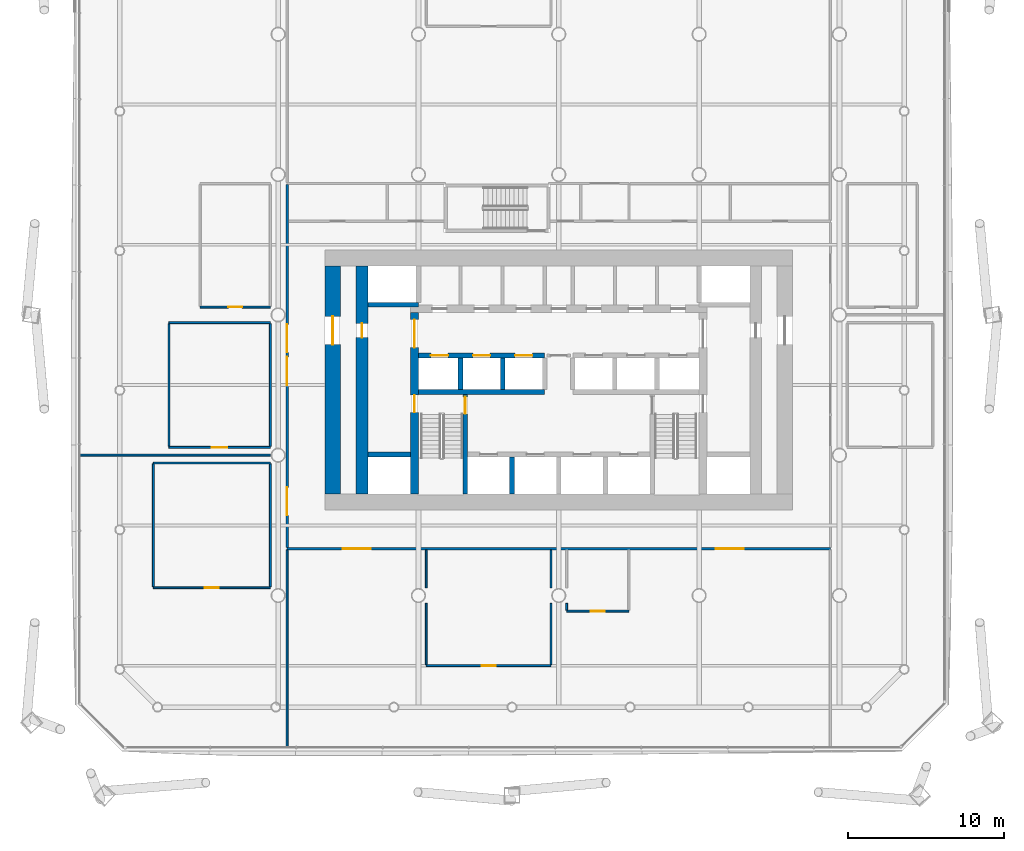
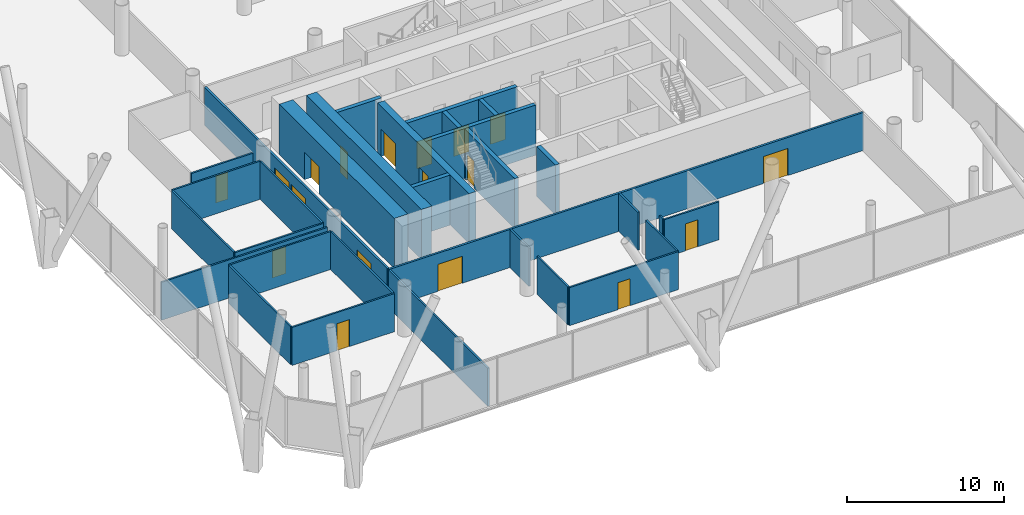
# One storey, part 17 of 25: 31 walls, 18 doors, 18 openings.
"""IFC4 building model written with IfcOpenShell, lengths in metres."""

from ifc_helpers import new_model, si_unit, direction, frame, frame_2d, origin, place, context, subcontext, project, spatial, rectangle, extrude, material, layer, layer_set, type_object, element, fill, save


model = new_model("IFC4")

# Units and contexts
model_context = context("Model", 3, precision=1e-05, world=origin(), true_north=direction((0.0, 1.0)))
body_context = subcontext(model_context, "Body", "Model", "MODEL_VIEW")
ifc_project = project(units=[si_unit("LENGTHUNIT", "METRE"), si_unit("AREAUNIT", "SQUARE_METRE"), si_unit("VOLUMEUNIT", "CUBIC_METRE"), si_unit("PLANEANGLEUNIT", "RADIAN"), si_unit("MASSUNIT", "GRAM", prefix="KILO")], contexts=[model_context])

# Site, building, storey
site_placement = place(None, origin())
site = spatial("IfcSite", under=ifc_project, at=site_placement, CompositionType="ELEMENT")
building_placement = place(site_placement, origin())
building = spatial("IfcBuilding", under=site, at=building_placement, Name="Tskaro Facet Tower", CompositionType="ELEMENT")
storey_placement = place(building_placement, frame((0.0, 0.0, 10.800048828125)))
storey = spatial("IfcBuildingStorey", under=building, at=storey_placement, Name="L01", CompositionType="ELEMENT", Elevation=10.800048828125)

# Walls
ifc_material_1 = material(Name="Concrete C60/75", Category="concrete")
ifc_layer_1 = layer(ifc_material_1, 0.300048828125, Name="Concrete C60/75")
ifc_layer_set_1 = layer_set([ifc_layer_1], Name="Concrete C60/75")
wall_type_1 = type_object("IfcWallType", Name="CORE-SHAFT", PredefinedType="SHEAR", material=ifc_layer_set_1)
wall_1_placement = place(storey_placement, frame((-12.25, -8.949951171875, 0.0), z_axis=(0.0, 0.0, 1.0), x_axis=(1.0, 0.0, 0.0)))
element("IfcWall", 1, at=wall_1_placement, inside=storey, type_object=wall_type_1, Name="Shaft wall W007", PredefinedType="SHEAR", context=body_context, shape_type="SweptSolid", body=[
    extrude(rectangle(XDim=2.75, YDim=0.300048828125, at=frame_2d((1.375, 0.0))), origin(), (0.0, 0.0, 1.0), 3.89990234375),
])
wall_2_placement = place(storey_placement, frame((-9.0, -4.949951171875, 0.0), z_axis=(0.0, 0.0, 1.0), x_axis=(1.0, 0.0, 0.0)))
element("IfcWall", 2, at=wall_2_placement, inside=storey, type_object=wall_type_1, Name="Shaft wall W012", PredefinedType="SHEAR", context=body_context, shape_type="SweptSolid", body=[
    extrude(rectangle(XDim=8.10009765625, YDim=0.300048828125, at=frame_2d((4.050048828125, 0.0))), origin(), (0.0, 0.0, 1.0), 3.89990234375),
])

# Wall, openings, doors
wall_3_placement = place(storey_placement, frame((-9.0, -2.60009765625, 0.0), z_axis=(0.0, 0.0, 1.0), x_axis=(1.0, 0.0, 0.0)))
wall_3 = element("IfcWall", 3, at=wall_3_placement, inside=storey, type_object=wall_type_1, Name="Shaft wall W014", PredefinedType="SHEAR", context=body_context, shape_type="SweptSolid", body=[
    extrude(rectangle(XDim=8.10009765625, YDim=0.300048828125, at=frame_2d((4.050048828125, 0.0))), origin(), (0.0, 0.0, 1.0), 3.89990234375),
])
opening_1_placement = place(wall_3_placement, frame((0.800048828125, 0.0, 0.0)))
opening_1 = element("IfcOpeningElement", 4, at=opening_1_placement, cuts=wall_3, Name="Opening LD-LR1", PredefinedType="OPENING", context=body_context, shape_type="SweptSolid", body=[
    extrude(rectangle(XDim=1.10009765625, YDim=2.10009765625, at=frame_2d((0.550048828125, 1.050048828125))), frame((0.0, 0.159912109375, 0.0), z_axis=(0.0, -1.0, 0.0), x_axis=(1.0, 0.0, 0.0)), (0.0, 0.0, 1.0), 0.320068359375),
])
opening_2_placement = place(wall_3_placement, frame((3.5, 0.0, 0.0)))
opening_2 = element("IfcOpeningElement", 5, at=opening_2_placement, cuts=wall_3, Name="Opening LD-LR2", PredefinedType="OPENING", context=body_context, shape_type="SweptSolid", body=[
    extrude(rectangle(XDim=1.10009765625, YDim=2.10009765625, at=frame_2d((0.550048828125, 1.050048828125))), frame((0.0, 0.159912109375, 0.0), z_axis=(0.0, -1.0, 0.0), x_axis=(1.0, 0.0, 0.0)), (0.0, 0.0, 1.0), 0.320068359375),
])
opening_3_placement = place(wall_3_placement, frame((6.199951171875, 0.0, 0.0)))
opening_3 = element("IfcOpeningElement", 6, at=opening_3_placement, cuts=wall_3, Name="Opening LD-LR3", PredefinedType="OPENING", context=body_context, shape_type="SweptSolid", body=[
    extrude(rectangle(XDim=1.10009765625, YDim=2.10009765625, at=frame_2d((0.550048828125, 1.050048828125))), frame((0.0, 0.159912109375, 0.0), z_axis=(0.0, -1.0, 0.0), x_axis=(1.0, 0.0, 0.0)), (0.0, 0.0, 1.0), 0.320068359375),
])
ifc_material_2 = material(Name="Stainless steel", Category="steel")
door_type_1 = type_object("IfcDoorType", Name="D-LANDING", OperationType="NOTDEFINED", PredefinedType="DOOR", material=ifc_material_2)
door_1_placement = place(opening_1_placement, origin())
door_1 = element("IfcDoor", 7, at=door_1_placement, inside=storey, type_object=door_type_1, Name="Landing door LR1", OperationType="DOUBLE_DOOR_SLIDING", OverallHeight=2.10009765625, OverallWidth=1.10009765625, PredefinedType="DOOR", context=body_context, shape_type="SweptSolid", body=[
    extrude(rectangle(XDim=1.10009765625, YDim=2.10009765625, at=frame_2d((0.550048828125, 1.050048828125))), frame((0.0, 0.02490234375, 0.0), z_axis=(0.0, -1.0, 0.0), x_axis=(1.0, 0.0, 0.0)), (0.0, 0.0, 1.0), 0.050048828125),
])
fill(opening_1, door_1)
door_2_placement = place(opening_2_placement, origin())
door_2 = element("IfcDoor", 8, at=door_2_placement, inside=storey, type_object=door_type_1, Name="Landing door LR2", OperationType="DOUBLE_DOOR_SLIDING", OverallHeight=2.10009765625, OverallWidth=1.10009765625, PredefinedType="DOOR", context=body_context, shape_type="SweptSolid", body=[
    extrude(rectangle(XDim=1.10009765625, YDim=2.10009765625, at=frame_2d((0.550048828125, 1.050048828125))), frame((0.0, 0.02490234375, 0.0), z_axis=(0.0, -1.0, 0.0), x_axis=(1.0, 0.0, 0.0)), (0.0, 0.0, 1.0), 0.050048828125),
])
fill(opening_2, door_2)
door_3_placement = place(opening_3_placement, origin())
door_3 = element("IfcDoor", 9, at=door_3_placement, inside=storey, type_object=door_type_1, Name="Landing door LR3", OperationType="DOUBLE_DOOR_SLIDING", OverallHeight=2.10009765625, OverallWidth=1.10009765625, PredefinedType="DOOR", context=body_context, shape_type="SweptSolid", body=[
    extrude(rectangle(XDim=1.10009765625, YDim=2.10009765625, at=frame_2d((0.550048828125, 1.050048828125))), frame((0.0, 0.02490234375, 0.0), z_axis=(0.0, -1.0, 0.0), x_axis=(1.0, 0.0, 0.0)), (0.0, 0.0, 1.0), 0.050048828125),
])
fill(opening_3, door_3)

# Walls
wall_4_placement = place(storey_placement, frame((-9.0, 0.64990234375, 0.0), z_axis=(0.0, 0.0, 1.0), x_axis=(-1.0, 0.0, 0.0)))
element("IfcWall", 10, at=wall_4_placement, inside=storey, type_object=wall_type_1, Name="Shaft wall W022", PredefinedType="SHEAR", context=body_context, shape_type="SweptSolid", body=[
    extrude(rectangle(XDim=3.25, YDim=0.300048828125, at=frame_2d((1.625, 0.0))), origin(), (0.0, 0.0, 1.0), 3.89990234375),
])
wall_5_placement = place(storey_placement, frame((-6.300048828125, -4.800048828125, 0.0), z_axis=(0.0, 0.0, 1.0), x_axis=(0.0, 1.0, 0.0)))
element("IfcWall", 11, at=wall_5_placement, inside=storey, type_object=wall_type_1, Name="Shaft wall W051", PredefinedType="SHEAR", context=body_context, shape_type="SweptSolid", body=[
    extrude(rectangle(XDim=2.050048828125, YDim=0.300048828125, at=frame_2d((1.02490234375, 0.0))), origin(), (0.0, 0.0, 1.0), 3.89990234375),
])

# Wall, opening, door
wall_6_placement = place(storey_placement, frame((-6.0, -11.5, 0.0), z_axis=(0.0, 0.0, 1.0), x_axis=(0.0, 1.0, 0.0)))
wall_6 = element("IfcWall", 12, at=wall_6_placement, inside=storey, type_object=wall_type_1, Name="Shaft wall W053", PredefinedType="SHEAR", context=body_context, shape_type="SweptSolid", body=[
    extrude(rectangle(XDim=6.39990234375, YDim=0.300048828125, at=frame_2d((3.199951171875, 0.0))), origin(), (0.0, 0.0, 1.0), 3.89990234375),
])
opening_4_placement = place(wall_6_placement, frame((5.14990234375, 0.0, 0.0)))
opening_4 = element("IfcOpeningElement", 13, at=opening_4_placement, cuts=wall_6, Name="Opening ST-1-D1", PredefinedType="OPENING", context=body_context, shape_type="SweptSolid", body=[
    extrude(rectangle(XDim=1.10009765625, YDim=2.10009765625, at=frame_2d((0.550048828125, 1.050048828125))), frame((0.0, 0.159912109375, 0.0), z_axis=(0.0, -1.0, 0.0), x_axis=(1.0, 0.0, 0.0)), (0.0, 0.0, 1.0), 0.320068359375),
])
ifc_material_3 = material(Name="Steel", Category="steel")
door_type_2 = type_object("IfcDoorType", Name="D-STAIR", OperationType="NOTDEFINED", PredefinedType="DOOR", material=ifc_material_3)
door_4_placement = place(opening_4_placement, origin())
door_4 = element("IfcDoor", 14, at=door_4_placement, inside=storey, type_object=door_type_2, Name="Stair door 1", OperationType="SINGLE_SWING_LEFT", OverallHeight=2.10009765625, OverallWidth=1.10009765625, PredefinedType="DOOR", context=body_context, shape_type="SweptSolid", body=[
    extrude(rectangle(XDim=1.10009765625, YDim=2.10009765625, at=frame_2d((0.550048828125, 1.050048828125))), frame((0.0, 0.02490234375, 0.0), z_axis=(0.0, -1.0, 0.0), x_axis=(1.0, 0.0, 0.0)), (0.0, 0.0, 1.0), 0.050048828125),
])
fill(opening_4, door_4)

# Walls
wall_7_placement = place(storey_placement, frame((-3.60009765625, -4.800048828125, 0.0), z_axis=(0.0, 0.0, 1.0), x_axis=(0.0, 1.0, 0.0)))
element("IfcWall", 15, at=wall_7_placement, inside=storey, type_object=wall_type_1, Name="Shaft wall W054", PredefinedType="SHEAR", context=body_context, shape_type="SweptSolid", body=[
    extrude(rectangle(XDim=2.050048828125, YDim=0.300048828125, at=frame_2d((1.02490234375, 0.0))), origin(), (0.0, 0.0, 1.0), 3.89990234375),
])
wall_8_placement = place(storey_placement, frame((-3.0, -11.5, 0.0), z_axis=(0.0, 0.0, 1.0), x_axis=(0.0, 1.0, 0.0)))
element("IfcWall", 16, at=wall_8_placement, inside=storey, type_object=wall_type_1, Name="Shaft wall W056", PredefinedType="SHEAR", context=body_context, shape_type="SweptSolid", body=[
    extrude(rectangle(XDim=2.39990234375, YDim=0.300048828125, at=frame_2d((1.199951171875, 0.0))), origin(), (0.0, 0.0, 1.0), 3.89990234375),
])

# Wall, opening, door
ifc_layer_2 = layer(ifc_material_1, 1.0, Name="Concrete C60/75")
ifc_layer_set_2 = layer_set([ifc_layer_2], Name="Concrete C60/75")
wall_type_2 = type_object("IfcWallType", Name="Core wall 1000", PredefinedType="SHEAR", material=ifc_layer_set_2)
wall_9_placement = place(storey_placement, frame((-14.5, -11.5, 0.0), z_axis=(0.0, 0.0, 1.0), x_axis=(0.0, 1.0, 0.0)))
wall_9 = element("IfcWall", 17, at=wall_9_placement, inside=storey, type_object=wall_type_2, Name="Core wall CW-Z1W", PredefinedType="SHEAR", context=body_context, shape_type="SweptSolid", body=[
    extrude(rectangle(XDim=14.64990234375, YDim=1.0, at=frame_2d((7.324951171875, 0.0))), origin(), (0.0, 0.0, 1.0), 3.89990234375),
])
opening_5_placement = place(wall_9_placement, frame((9.60009765625, 0.0, 0.0)))
opening_5 = element("IfcOpeningElement", 18, at=opening_5_placement, cuts=wall_9, Name="Opening T0-D17", PredefinedType="OPENING", context=body_context, shape_type="SweptSolid", body=[
    extrude(rectangle(XDim=1.800048828125, YDim=2.10009765625, at=frame_2d((0.89990234375, 1.050048828125))), frame((0.0, 0.510009765625, 0.0), z_axis=(0.0, -1.0, 0.0), x_axis=(1.0, 0.0, 0.0)), (0.0, 0.0, 1.0), 1.02001953125),
])
door_type_3 = type_object("IfcDoorType", Name="D-CORE-PAIR", OperationType="NOTDEFINED", PredefinedType="DOOR", material=ifc_material_3)
door_5_placement = place(opening_5_placement, origin())
door_5 = element("IfcDoor", 19, at=door_5_placement, inside=storey, type_object=door_type_3, Name="Door T0-D17", OperationType="DOUBLE_DOOR_SINGLE_SWING", OverallHeight=2.10009765625, OverallWidth=1.800048828125, PredefinedType="DOOR", context=body_context, shape_type="SweptSolid", body=[
    extrude(rectangle(XDim=1.800048828125, YDim=2.10009765625, at=frame_2d((0.89990234375, 1.050048828125))), frame((0.0, 0.02490234375, 0.0), z_axis=(0.0, -1.0, 0.0), x_axis=(1.0, 0.0, 0.0)), (0.0, 0.0, 1.0), 0.050048828125),
])
fill(opening_5, door_5)

# Wall, openings, doors
ifc_material_4 = material(Name="Concrete C40/50", Category="concrete")
ifc_layer_3 = layer(ifc_material_4, 0.5, Name="Concrete C40/50")
ifc_layer_set_3 = layer_set([ifc_layer_3], Name="Concrete C40/50")
wall_type_3 = type_object("IfcWallType", Name="Core wall 500", PredefinedType="SHEAR", material=ifc_layer_set_3)
wall_10_placement = place(storey_placement, frame((-9.25, -11.5, 0.0), z_axis=(0.0, 0.0, 1.0), x_axis=(0.0, 1.0, 0.0)))
wall_10 = element("IfcWall", 20, at=wall_10_placement, inside=storey, type_object=wall_type_3, Name="Core wall CW-Z3W", PredefinedType="SHEAR", context=body_context, shape_type="SweptSolid", body=[
    extrude(rectangle(XDim=11.64990234375, YDim=0.5, at=frame_2d((5.824951171875, 0.0))), origin(), (0.0, 0.0, 1.0), 3.89990234375),
])
opening_6_placement = place(wall_10_placement, frame((9.39990234375, 0.0, 0.0)))
opening_6 = element("IfcOpeningElement", 21, at=opening_6_placement, cuts=wall_10, Name="Opening T0-D15", PredefinedType="OPENING", context=body_context, shape_type="SweptSolid", body=[
    extrude(rectangle(XDim=1.800048828125, YDim=2.10009765625, at=frame_2d((0.89990234375, 1.050048828125))), frame((0.0, 0.260009765625, 0.0), z_axis=(0.0, -1.0, 0.0), x_axis=(1.0, 0.0, 0.0)), (0.0, 0.0, 1.0), 0.52001953125),
])
opening_7_placement = place(wall_10_placement, frame((5.25, 0.0, 0.0)))
opening_7 = element("IfcOpeningElement", 22, at=opening_7_placement, cuts=wall_10, Name="Opening ST-1-D2", PredefinedType="OPENING", context=body_context, shape_type="SweptSolid", body=[
    extrude(rectangle(XDim=1.10009765625, YDim=2.10009765625, at=frame_2d((0.550048828125, 1.050048828125))), frame((0.0, 0.260009765625, 0.0), z_axis=(0.0, -1.0, 0.0), x_axis=(1.0, 0.0, 0.0)), (0.0, 0.0, 1.0), 0.52001953125),
])
door_6_placement = place(opening_6_placement, origin())
door_6 = element("IfcDoor", 23, at=door_6_placement, inside=storey, type_object=door_type_3, Name="Door T0-D15", OperationType="DOUBLE_DOOR_SINGLE_SWING", OverallHeight=2.10009765625, OverallWidth=1.800048828125, PredefinedType="DOOR", context=body_context, shape_type="SweptSolid", body=[
    extrude(rectangle(XDim=1.800048828125, YDim=2.10009765625, at=frame_2d((0.89990234375, 1.050048828125))), frame((0.0, 0.02490234375, 0.0), z_axis=(0.0, -1.0, 0.0), x_axis=(1.0, 0.0, 0.0)), (0.0, 0.0, 1.0), 0.050048828125),
])
fill(opening_6, door_6)
door_7_placement = place(opening_7_placement, origin())
door_7 = element("IfcDoor", 24, at=door_7_placement, inside=storey, type_object=door_type_2, Name="Stair door 1 west", OperationType="SINGLE_SWING_LEFT", OverallHeight=2.10009765625, OverallWidth=1.10009765625, PredefinedType="DOOR", context=body_context, shape_type="SweptSolid", body=[
    extrude(rectangle(XDim=1.10009765625, YDim=2.10009765625, at=frame_2d((0.550048828125, 1.050048828125))), frame((0.0, 0.02490234375, 0.0), z_axis=(0.0, -1.0, 0.0), x_axis=(1.0, 0.0, 0.0)), (0.0, 0.0, 1.0), 0.050048828125),
])
fill(opening_7, door_7)

# Wall, opening, door
ifc_material_5 = material(Name="Concrete C50/60", Category="concrete")
ifc_layer_4 = layer(ifc_material_5, 0.75, Name="Concrete C50/60")
ifc_layer_set_4 = layer_set([ifc_layer_4], Name="Concrete C50/60")
wall_type_4 = type_object("IfcWallType", Name="Core wall 750", PredefinedType="SHEAR", material=ifc_layer_set_4)
wall_11_placement = place(storey_placement, frame((-12.625, -11.5, 0.0), z_axis=(0.0, 0.0, 1.0), x_axis=(0.0, 1.0, 0.0)))
wall_11 = element("IfcWall", 25, at=wall_11_placement, inside=storey, type_object=wall_type_4, Name="Core wall CW-Z2W", PredefinedType="SHEAR", context=body_context, shape_type="SweptSolid", body=[
    extrude(rectangle(XDim=14.64990234375, YDim=0.75, at=frame_2d((7.324951171875, 0.0))), origin(), (0.0, 0.0, 1.0), 3.89990234375),
])
opening_8_placement = place(wall_11_placement, frame((10.050048828125, 0.0, 0.0)))
opening_8 = element("IfcOpeningElement", 26, at=opening_8_placement, cuts=wall_11, Name="Opening T0-D18", PredefinedType="OPENING", context=body_context, shape_type="SweptSolid", body=[
    extrude(rectangle(XDim=0.89990234375, YDim=2.10009765625, at=frame_2d((0.449951171875, 1.050048828125))), frame((0.0, 0.385009765625, 0.0), z_axis=(0.0, -1.0, 0.0), x_axis=(1.0, 0.0, 0.0)), (0.0, 0.0, 1.0), 0.77001953125),
])
ifc_material_6 = material(Name="Timber", Category="wood")
door_type_4 = type_object("IfcDoorType", Name="D-ROOM", OperationType="NOTDEFINED", PredefinedType="DOOR", material=ifc_material_6)
door_8_placement = place(opening_8_placement, origin())
door_8 = element("IfcDoor", 27, at=door_8_placement, inside=storey, type_object=door_type_4, Name="Door T0-D18", OperationType="SINGLE_SWING_LEFT", OverallHeight=2.10009765625, OverallWidth=0.89990234375, PredefinedType="DOOR", context=body_context, shape_type="SweptSolid", body=[
    extrude(rectangle(XDim=0.89990234375, YDim=2.10009765625, at=frame_2d((0.449951171875, 1.050048828125))), frame((0.0, 0.02490234375, 0.0), z_axis=(0.0, -1.0, 0.0), x_axis=(1.0, 0.0, 0.0)), (0.0, 0.0, 1.0), 0.050048828125),
])
fill(opening_8, door_8)

ifc_material_7 = material(Name="Gypsum board on steel studs", Category="steel")
ifc_layer_5 = layer(ifc_material_7, 0.125, Name="Gypsum board on steel studs")
ifc_layer_set_5 = layer_set([ifc_layer_5], Name="Gypsum board on steel studs")
wall_type_5 = type_object("IfcWallType", Name="PART", PredefinedType="PARTITIONING", material=ifc_layer_set_5)
wall_12_placement = place(storey_placement, frame((-8.5, -22.5, 0.0), z_axis=(0.0, 0.0, 1.0), x_axis=(1.0, 0.0, 0.0)))
wall_12 = element("IfcWall", 28, at=wall_12_placement, inside=storey, type_object=wall_type_5, Name="Partition W001", PredefinedType="PARTITIONING", context=body_context, shape_type="SweptSolid", body=[
    extrude(rectangle(XDim=8.0, YDim=0.125, at=frame_2d((4.0, 0.0))), origin(), (0.0, 0.0, 1.0), 2.9599609375),
])
opening_9_placement = place(wall_12_placement, frame((3.550048828125, 0.0, 0.0)))
opening_9 = element("IfcOpeningElement", 29, at=opening_9_placement, cuts=wall_12, Name="Opening T0-D01", PredefinedType="OPENING", context=body_context, shape_type="SweptSolid", body=[
    extrude(rectangle(XDim=0.89990234375, YDim=2.10009765625, at=frame_2d((0.449951171875, 1.050048828125))), frame((0.0, 0.072509765625, 0.0), z_axis=(0.0, -1.0, 0.0), x_axis=(1.0, 0.0, 0.0)), (0.0, 0.0, 1.0), 0.14501953125),
])
door_9_placement = place(opening_9_placement, origin())
door_9 = element("IfcDoor", 30, at=door_9_placement, inside=storey, type_object=door_type_4, Name="Door T0-D01", OperationType="SINGLE_SWING_LEFT", OverallHeight=2.10009765625, OverallWidth=0.89990234375, PredefinedType="DOOR", context=body_context, shape_type="SweptSolid", body=[
    extrude(rectangle(XDim=0.89990234375, YDim=2.10009765625, at=frame_2d((0.449951171875, 1.050048828125))), frame((0.0, 0.02490234375, 0.0), z_axis=(0.0, -1.0, 0.0), x_axis=(1.0, 0.0, 0.0)), (0.0, 0.0, 1.0), 0.050048828125),
])
fill(opening_9, door_9)

wall_13_placement = place(storey_placement, frame((0.5, -19.0, 0.0), z_axis=(0.0, 0.0, 1.0), x_axis=(1.0, 0.0, 0.0)))
wall_13 = element("IfcWall", 31, at=wall_13_placement, inside=storey, type_object=wall_type_5, Name="Partition W002", PredefinedType="PARTITIONING", context=body_context, shape_type="SweptSolid", body=[
    extrude(rectangle(XDim=4.0, YDim=0.125, at=frame_2d((2.0, 0.0))), origin(), (0.0, 0.0, 1.0), 2.9599609375),
])
opening_10_placement = place(wall_13_placement, frame((1.550048828125, 0.0, 0.0)))
opening_10 = element("IfcOpeningElement", 32, at=opening_10_placement, cuts=wall_13, Name="Opening T0-D02", PredefinedType="OPENING", context=body_context, shape_type="SweptSolid", body=[
    extrude(rectangle(XDim=0.89990234375, YDim=2.10009765625, at=frame_2d((0.449951171875, 1.050048828125))), frame((0.0, 0.072509765625, 0.0), z_axis=(0.0, -1.0, 0.0), x_axis=(1.0, 0.0, 0.0)), (0.0, 0.0, 1.0), 0.14501953125),
])
door_10_placement = place(opening_10_placement, origin())
door_10 = element("IfcDoor", 33, at=door_10_placement, inside=storey, type_object=door_type_4, Name="Door T0-D02", OperationType="SINGLE_SWING_LEFT", OverallHeight=2.10009765625, OverallWidth=0.89990234375, PredefinedType="DOOR", context=body_context, shape_type="SweptSolid", body=[
    extrude(rectangle(XDim=0.89990234375, YDim=2.10009765625, at=frame_2d((0.449951171875, 1.050048828125))), frame((0.0, 0.02490234375, 0.0), z_axis=(0.0, -1.0, 0.0), x_axis=(1.0, 0.0, 0.0)), (0.0, 0.0, 1.0), 0.050048828125),
])
fill(opening_10, door_10)

wall_14_placement = place(storey_placement, frame((-26.0, -17.5, 0.0), z_axis=(0.0, 0.0, 1.0), x_axis=(1.0, 0.0, 0.0)))
wall_14 = element("IfcWall", 34, at=wall_14_placement, inside=storey, type_object=wall_type_5, Name="Partition W003", PredefinedType="PARTITIONING", context=body_context, shape_type="SweptSolid", body=[
    extrude(rectangle(XDim=7.5, YDim=0.125, at=frame_2d((3.75, 0.0))), origin(), (0.0, 0.0, 1.0), 2.9599609375),
])
opening_11_placement = place(wall_14_placement, frame((3.300048828125, 0.0, 0.0)))
opening_11 = element("IfcOpeningElement", 35, at=opening_11_placement, cuts=wall_14, Name="Opening T0-D03", PredefinedType="OPENING", context=body_context, shape_type="SweptSolid", body=[
    extrude(rectangle(XDim=0.89990234375, YDim=2.10009765625, at=frame_2d((0.449951171875, 1.050048828125))), frame((0.0, 0.072509765625, 0.0), z_axis=(0.0, -1.0, 0.0), x_axis=(1.0, 0.0, 0.0)), (0.0, 0.0, 1.0), 0.14501953125),
])
door_11_placement = place(opening_11_placement, origin())
door_11 = element("IfcDoor", 36, at=door_11_placement, inside=storey, type_object=door_type_4, Name="Door T0-D03", OperationType="SINGLE_SWING_LEFT", OverallHeight=2.10009765625, OverallWidth=0.89990234375, PredefinedType="DOOR", context=body_context, shape_type="SweptSolid", body=[
    extrude(rectangle(XDim=0.89990234375, YDim=2.10009765625, at=frame_2d((0.449951171875, 1.050048828125))), frame((0.0, 0.02490234375, 0.0), z_axis=(0.0, -1.0, 0.0), x_axis=(1.0, 0.0, 0.0)), (0.0, 0.0, 1.0), 0.050048828125),
])
fill(opening_11, door_11)

# Walls
wall_15_placement = place(storey_placement, frame((-26.0, -9.5, 0.0), z_axis=(0.0, 0.0, 1.0), x_axis=(1.0, 0.0, 0.0)))
element("IfcWall", 37, at=wall_15_placement, inside=storey, type_object=wall_type_5, Name="Partition W005", PredefinedType="PARTITIONING", context=body_context, shape_type="SweptSolid", body=[
    extrude(rectangle(XDim=7.5, YDim=0.125, at=frame_2d((3.75, 0.0))), origin(), (0.0, 0.0, 1.0), 2.9599609375),
])
wall_16_placement = place(storey_placement, frame((-30.699951171875, -9.0, 0.0), z_axis=(0.0, 0.0, 1.0), x_axis=(1.0, 0.0, 0.0)))
element("IfcWall", 38, at=wall_16_placement, inside=storey, type_object=wall_type_5, Name="Partition W006", PredefinedType="PARTITIONING", context=body_context, shape_type="SweptSolid", body=[
    extrude(rectangle(XDim=12.199951171875, YDim=0.125, at=frame_2d((6.10009765625, 0.0))), origin(), (0.0, 0.0, 1.0), 2.9599609375),
])

# Wall, opening, door
wall_17_placement = place(storey_placement, frame((-25.0, -8.5, 0.0), z_axis=(0.0, 0.0, 1.0), x_axis=(1.0, 0.0, 0.0)))
wall_17 = element("IfcWall", 39, at=wall_17_placement, inside=storey, type_object=wall_type_5, Name="Partition W010", PredefinedType="PARTITIONING", context=body_context, shape_type="SweptSolid", body=[
    extrude(rectangle(XDim=6.5, YDim=0.125, at=frame_2d((3.25, 0.0))), origin(), (0.0, 0.0, 1.0), 2.9599609375),
])
opening_12_placement = place(wall_17_placement, frame((2.75, 0.0, 0.0)))
opening_12 = element("IfcOpeningElement", 40, at=opening_12_placement, cuts=wall_17, Name="Opening T0-D09", PredefinedType="OPENING", context=body_context, shape_type="SweptSolid", body=[
    extrude(rectangle(XDim=1.0, YDim=2.10009765625, at=frame_2d((0.5, 1.050048828125))), frame((0.0, 0.072509765625, 0.0), z_axis=(0.0, -1.0, 0.0), x_axis=(1.0, 0.0, 0.0)), (0.0, 0.0, 1.0), 0.14501953125),
])
door_type_5 = type_object("IfcDoorType", Name="D-ROOM-WIDE", OperationType="NOTDEFINED", PredefinedType="DOOR", material=ifc_material_6)
door_12_placement = place(opening_12_placement, origin())
door_12 = element("IfcDoor", 41, at=door_12_placement, inside=storey, type_object=door_type_5, Name="Door T0-D09", OperationType="SINGLE_SWING_LEFT", OverallHeight=2.10009765625, OverallWidth=1.0, PredefinedType="DOOR", context=body_context, shape_type="SweptSolid", body=[
    extrude(rectangle(XDim=1.0, YDim=2.10009765625, at=frame_2d((0.5, 1.050048828125))), frame((0.0, 0.02490234375, 0.0), z_axis=(0.0, -1.0, 0.0), x_axis=(1.0, 0.0, 0.0)), (0.0, 0.0, 1.0), 0.050048828125),
])
fill(opening_12, door_12)

# Wall
wall_18_placement = place(storey_placement, frame((-25.0, -0.5, 0.0), z_axis=(0.0, 0.0, 1.0), x_axis=(1.0, 0.0, 0.0)))
element("IfcWall", 42, at=wall_18_placement, inside=storey, type_object=wall_type_5, Name="Partition W017", PredefinedType="PARTITIONING", context=body_context, shape_type="SweptSolid", body=[
    extrude(rectangle(XDim=6.5, YDim=0.125, at=frame_2d((3.25, 0.0))), origin(), (0.0, 0.0, 1.0), 2.9599609375),
])

# Wall, opening, door
wall_19_placement = place(storey_placement, frame((-23.0, 0.5, 0.0), z_axis=(0.0, 0.0, 1.0), x_axis=(1.0, 0.0, 0.0)))
wall_19 = element("IfcWall", 43, at=wall_19_placement, inside=storey, type_object=wall_type_5, Name="Partition W020", PredefinedType="PARTITIONING", context=body_context, shape_type="SweptSolid", body=[
    extrude(rectangle(XDim=4.5, YDim=0.125, at=frame_2d((2.25, 0.0))), origin(), (0.0, 0.0, 1.0), 2.9599609375),
])
opening_13_placement = place(wall_19_placement, frame((1.800048828125, 0.0, 0.0)))
opening_13 = element("IfcOpeningElement", 44, at=opening_13_placement, cuts=wall_19, Name="Opening T0-D28", PredefinedType="OPENING", context=body_context, shape_type="SweptSolid", body=[
    extrude(rectangle(XDim=0.89990234375, YDim=2.10009765625, at=frame_2d((0.449951171875, 1.050048828125))), frame((0.0, 0.072509765625, 0.0), z_axis=(0.0, -1.0, 0.0), x_axis=(1.0, 0.0, 0.0)), (0.0, 0.0, 1.0), 0.14501953125),
])
door_13_placement = place(opening_13_placement, origin())
door_13 = element("IfcDoor", 45, at=door_13_placement, inside=storey, type_object=door_type_4, Name="Door T0-D28", OperationType="SINGLE_SWING_LEFT", OverallHeight=2.10009765625, OverallWidth=0.89990234375, PredefinedType="DOOR", context=body_context, shape_type="SweptSolid", body=[
    extrude(rectangle(XDim=0.89990234375, YDim=2.10009765625, at=frame_2d((0.449951171875, 1.050048828125))), frame((0.0, 0.02490234375, 0.0), z_axis=(0.0, -1.0, 0.0), x_axis=(1.0, 0.0, 0.0)), (0.0, 0.0, 1.0), 0.050048828125),
])
fill(opening_13, door_13)

# Walls
for number, where, z_axis, x_axis, name in (
    (46, (-26.0, -17.4375, 0.0), (0.0, 0.0, 1.0), (0.0, 1.0, 0.0), "Partition W036"),
    (47, (-25.0, -8.4375, 0.0), (0.0, 0.0, 1.0), (0.0, 1.0, 0.0), "Partition W037"),
    (48, (-18.5, -17.4375, 0.0), (0.0, 0.0, 1.0), (0.0, 1.0, 0.0), "Partition W039"),
    (49, (-18.5, -8.4375, 0.0), (0.0, 0.0, 1.0), (0.0, 1.0, 0.0), "Partition W040"),
):
    element("IfcWall", number, at=place(storey_placement, frame(where, z_axis=z_axis, x_axis=x_axis)), inside=storey, type_object=wall_type_5, Name=name, PredefinedType="PARTITIONING", context=body_context, shape_type="SweptSolid", body=[
        extrude(rectangle(XDim=7.875, YDim=0.125, at=frame_2d((3.9375, 0.0))), origin(), (0.0, 0.0, 1.0), 2.9599609375),
    ])
wall_20_placement = place(storey_placement, frame((-17.425048828125, -27.699951171875, 0.0), z_axis=(0.0, 0.0, 1.0), x_axis=(0.0, 1.0, 0.0)))
element("IfcWall", 50, at=wall_20_placement, inside=storey, type_object=wall_type_5, Name="Partition W042", PredefinedType="PARTITIONING", context=body_context, shape_type="SweptSolid", body=[
    extrude(rectangle(XDim=12.625, YDim=0.125, at=frame_2d((6.3125, 0.0))), origin(), (0.0, 0.0, 1.0), 2.9599609375),
])
wall_21_placement = place(storey_placement, frame((-8.5, -22.4375, 0.0), z_axis=(0.0, 0.0, 1.0), x_axis=(0.0, 1.0, 0.0)))
element("IfcWall", 51, at=wall_21_placement, inside=storey, type_object=wall_type_5, Name="Partition W047", PredefinedType="PARTITIONING", context=body_context, shape_type="SweptSolid", body=[
    extrude(rectangle(XDim=3.9375, YDim=0.125, at=frame_2d((1.96875, 0.0))), origin(), (0.0, 0.0, 1.0), 2.9599609375),
])
wall_22_placement = place(storey_placement, frame((-8.5, -17.5, 0.0), z_axis=(0.0, 0.0, 1.0), x_axis=(0.0, 1.0, 0.0)))
element("IfcWall", 52, at=wall_22_placement, inside=storey, type_object=wall_type_5, Name="Partition W048", PredefinedType="PARTITIONING", context=body_context, shape_type="SweptSolid", body=[
    extrude(rectangle(XDim=2.425048828125, YDim=0.125, at=frame_2d((1.21240234375, 0.0))), origin(), (0.0, 0.0, 1.0), 2.9599609375),
])
wall_23_placement = place(storey_placement, frame((-0.5, -22.4375, 0.0), z_axis=(0.0, 0.0, 1.0), x_axis=(0.0, 1.0, 0.0)))
element("IfcWall", 53, at=wall_23_placement, inside=storey, type_object=wall_type_5, Name="Partition W060", PredefinedType="PARTITIONING", context=body_context, shape_type="SweptSolid", body=[
    extrude(rectangle(XDim=3.9375, YDim=0.125, at=frame_2d((1.96875, 0.0))), origin(), (0.0, 0.0, 1.0), 2.9599609375),
])
wall_24_placement = place(storey_placement, frame((-0.5, -17.5, 0.0), z_axis=(0.0, 0.0, 1.0), x_axis=(0.0, 1.0, 0.0)))
element("IfcWall", 54, at=wall_24_placement, inside=storey, type_object=wall_type_5, Name="Partition W061", PredefinedType="PARTITIONING", context=body_context, shape_type="SweptSolid", body=[
    extrude(rectangle(XDim=2.425048828125, YDim=0.125, at=frame_2d((1.21240234375, 0.0))), origin(), (0.0, 0.0, 1.0), 2.9599609375),
])
wall_25_placement = place(storey_placement, frame((0.5, -18.9375, 0.0), z_axis=(0.0, 0.0, 1.0), x_axis=(0.0, 1.0, 0.0)))
element("IfcWall", 55, at=wall_25_placement, inside=storey, type_object=wall_type_5, Name="Partition W064", PredefinedType="PARTITIONING", context=body_context, shape_type="SweptSolid", body=[
    extrude(rectangle(XDim=0.4375, YDim=0.125, at=frame_2d((0.21875, 0.0))), origin(), (0.0, 0.0, 1.0), 2.9599609375),
])

# Wall, openings, doors
ifc_layer_6 = layer(ifc_material_7, 0.14990234375, Name="Gypsum board on steel studs")
ifc_layer_set_6 = layer_set([ifc_layer_6], Name="Gypsum board on steel studs")
wall_type_6 = type_object("IfcWallType", Name="PART-CORR", PredefinedType="PARTITIONING", material=ifc_layer_set_6)
wall_26_placement = place(storey_placement, frame((-17.425048828125, -15.0, 0.0), z_axis=(0.0, 0.0, 1.0), x_axis=(1.0, 0.0, 0.0)))
wall_26 = element("IfcWall", 56, at=wall_26_placement, inside=storey, type_object=wall_type_6, Name="Corridor wall W004", PredefinedType="PARTITIONING", context=body_context, shape_type="SweptSolid", body=[
    extrude(rectangle(XDim=34.85009765625, YDim=0.14990234375, at=frame_2d((17.425048828125, 0.0))), origin(), (0.0, 0.0, 1.0), 2.9599609375),
])
opening_14_placement = place(wall_26_placement, frame((3.5625, 0.0, 0.0)))
opening_14 = element("IfcOpeningElement", 57, at=opening_14_placement, cuts=wall_26, Name="Opening T0-D04", PredefinedType="OPENING", context=body_context, shape_type="SweptSolid", body=[
    extrude(rectangle(XDim=1.800048828125, YDim=2.10009765625, at=frame_2d((0.89990234375, 1.050048828125))), frame((0.0, 0.0849609375, 0.0), z_axis=(0.0, -1.0, 0.0), x_axis=(1.0, 0.0, 0.0)), (0.0, 0.0, 1.0), 0.169921875),
])
opening_15_placement = place(wall_26_placement, frame((27.487548828125, 0.0, 0.0)))
opening_15 = element("IfcOpeningElement", 58, at=opening_15_placement, cuts=wall_26, Name="Opening T0-D05", PredefinedType="OPENING", context=body_context, shape_type="SweptSolid", body=[
    extrude(rectangle(XDim=1.800048828125, YDim=2.10009765625, at=frame_2d((0.89990234375, 1.050048828125))), frame((0.0, 0.0849609375, 0.0), z_axis=(0.0, -1.0, 0.0), x_axis=(1.0, 0.0, 0.0)), (0.0, 0.0, 1.0), 0.169921875),
])
ifc_material_8 = material(Name="Glass", Category="glass")
door_type_6 = type_object("IfcDoorType", Name="D-ENTRY-PAIR", OperationType="NOTDEFINED", PredefinedType="DOOR", material=ifc_material_8)
door_14_placement = place(opening_14_placement, origin())
door_14 = element("IfcDoor", 59, at=door_14_placement, inside=storey, type_object=door_type_6, Name="Door T0-D04", OperationType="DOUBLE_DOOR_SINGLE_SWING", OverallHeight=2.10009765625, OverallWidth=1.800048828125, PredefinedType="DOOR", context=body_context, shape_type="SweptSolid", body=[
    extrude(rectangle(XDim=1.800048828125, YDim=2.10009765625, at=frame_2d((0.89990234375, 1.050048828125))), frame((0.0, 0.02490234375, 0.0), z_axis=(0.0, -1.0, 0.0), x_axis=(1.0, 0.0, 0.0)), (0.0, 0.0, 1.0), 0.050048828125),
])
fill(opening_14, door_14)
door_15_placement = place(opening_15_placement, origin())
door_15 = element("IfcDoor", 60, at=door_15_placement, inside=storey, type_object=door_type_6, Name="Door T0-D05", OperationType="DOUBLE_DOOR_SINGLE_SWING", OverallHeight=2.10009765625, OverallWidth=1.800048828125, PredefinedType="DOOR", context=body_context, shape_type="SweptSolid", body=[
    extrude(rectangle(XDim=1.800048828125, YDim=2.10009765625, at=frame_2d((0.89990234375, 1.050048828125))), frame((0.0, 0.02490234375, 0.0), z_axis=(0.0, -1.0, 0.0), x_axis=(1.0, 0.0, 0.0)), (0.0, 0.0, 1.0), 0.050048828125),
])
fill(opening_15, door_15)

wall_27_placement = place(storey_placement, frame((-17.425048828125, 8.35009765625, 0.0), z_axis=(0.0, 0.0, 1.0), x_axis=(0.0, -1.0, 0.0)))
wall_27 = element("IfcWall", 61, at=wall_27_placement, inside=storey, type_object=wall_type_6, Name="Corridor wall W043", PredefinedType="PARTITIONING", context=body_context, shape_type="SweptSolid", body=[
    extrude(rectangle(XDim=23.275146484375, YDim=0.14990234375, at=frame_2d((11.6376953125, 0.0))), origin(), (0.0, 0.0, 1.0), 2.9599609375),
])
opening_16_placement = place(wall_27_placement, frame((19.41259765625, 0.0, 0.0)))
opening_16 = element("IfcOpeningElement", 62, at=opening_16_placement, cuts=wall_27, Name="Opening T0-D06", PredefinedType="OPENING", context=body_context, shape_type="SweptSolid", body=[
    extrude(rectangle(XDim=1.800048828125, YDim=2.10009765625, at=frame_2d((0.89990234375, 1.050048828125))), frame((0.0, 0.0849609375, 0.0), z_axis=(0.0, -1.0, 0.0), x_axis=(1.0, 0.0, 0.0)), (0.0, 0.0, 1.0), 0.169921875),
])
opening_17_placement = place(wall_27_placement, frame((8.949951171875, 0.0, 0.0)))
opening_17 = element("IfcOpeningElement", 63, at=opening_17_placement, cuts=wall_27, Name="Opening T0-D14", PredefinedType="OPENING", context=body_context, shape_type="SweptSolid", body=[
    extrude(rectangle(XDim=1.800048828125, YDim=2.10009765625, at=frame_2d((0.89990234375, 1.050048828125))), frame((0.0, 0.0849609375, 0.0), z_axis=(0.0, -1.0, 0.0), x_axis=(1.0, 0.0, 0.0)), (0.0, 0.0, 1.0), 0.169921875),
])
opening_18_placement = place(wall_27_placement, frame((11.050048828125, 0.0, 0.0)))
opening_18 = element("IfcOpeningElement", 64, at=opening_18_placement, cuts=wall_27, Name="Opening T0-D13", PredefinedType="OPENING", context=body_context, shape_type="SweptSolid", body=[
    extrude(rectangle(XDim=1.800048828125, YDim=2.10009765625, at=frame_2d((0.89990234375, 1.050048828125))), frame((0.0, 0.0849609375, 0.0), z_axis=(0.0, -1.0, 0.0), x_axis=(1.0, 0.0, 0.0)), (0.0, 0.0, 1.0), 0.169921875),
])
door_16_placement = place(opening_16_placement, origin())
door_16 = element("IfcDoor", 65, at=door_16_placement, inside=storey, type_object=door_type_6, Name="Door T0-D06", OperationType="DOUBLE_DOOR_SINGLE_SWING", OverallHeight=2.10009765625, OverallWidth=1.800048828125, PredefinedType="DOOR", context=body_context, shape_type="SweptSolid", body=[
    extrude(rectangle(XDim=1.800048828125, YDim=2.10009765625, at=frame_2d((0.89990234375, 1.050048828125))), frame((0.0, 0.02490234375, 0.0), z_axis=(0.0, -1.0, 0.0), x_axis=(1.0, 0.0, 0.0)), (0.0, 0.0, 1.0), 0.050048828125),
])
fill(opening_16, door_16)
door_17_placement = place(opening_17_placement, origin())
door_17 = element("IfcDoor", 66, at=door_17_placement, inside=storey, type_object=door_type_6, Name="Door T0-D14", OperationType="DOUBLE_DOOR_SINGLE_SWING", OverallHeight=2.10009765625, OverallWidth=1.800048828125, PredefinedType="DOOR", context=body_context, shape_type="SweptSolid", body=[
    extrude(rectangle(XDim=1.800048828125, YDim=2.10009765625, at=frame_2d((0.89990234375, 1.050048828125))), frame((0.0, 0.02490234375, 0.0), z_axis=(0.0, -1.0, 0.0), x_axis=(1.0, 0.0, 0.0)), (0.0, 0.0, 1.0), 0.050048828125),
])
fill(opening_17, door_17)
door_18_placement = place(opening_18_placement, origin())
door_18 = element("IfcDoor", 67, at=door_18_placement, inside=storey, type_object=door_type_6, Name="Door T0-D13", OperationType="DOUBLE_DOOR_SINGLE_SWING", OverallHeight=2.10009765625, OverallWidth=1.800048828125, PredefinedType="DOOR", context=body_context, shape_type="SweptSolid", body=[
    extrude(rectangle(XDim=1.800048828125, YDim=2.10009765625, at=frame_2d((0.89990234375, 1.050048828125))), frame((0.0, 0.02490234375, 0.0), z_axis=(0.0, -1.0, 0.0), x_axis=(1.0, 0.0, 0.0)), (0.0, 0.0, 1.0), 0.050048828125),
])
fill(opening_18, door_18)

save(model, "model.ifc")
